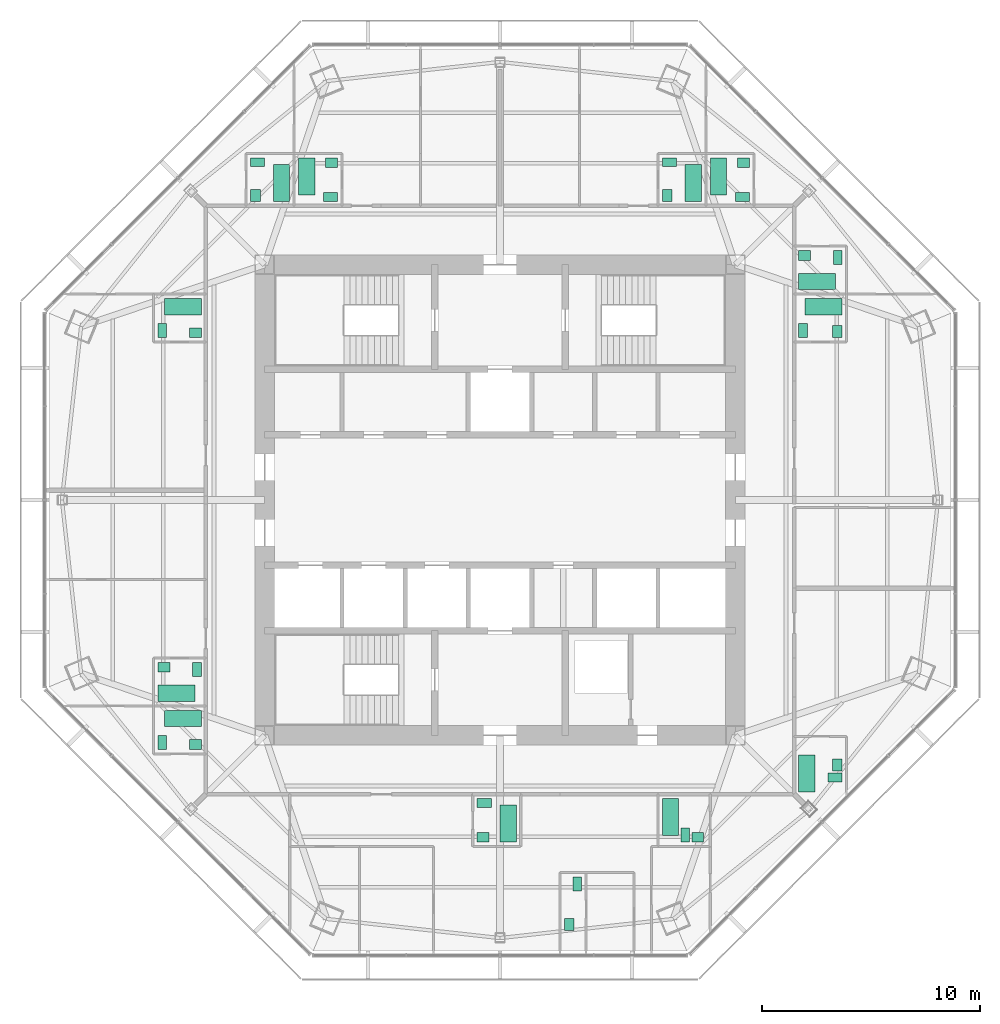
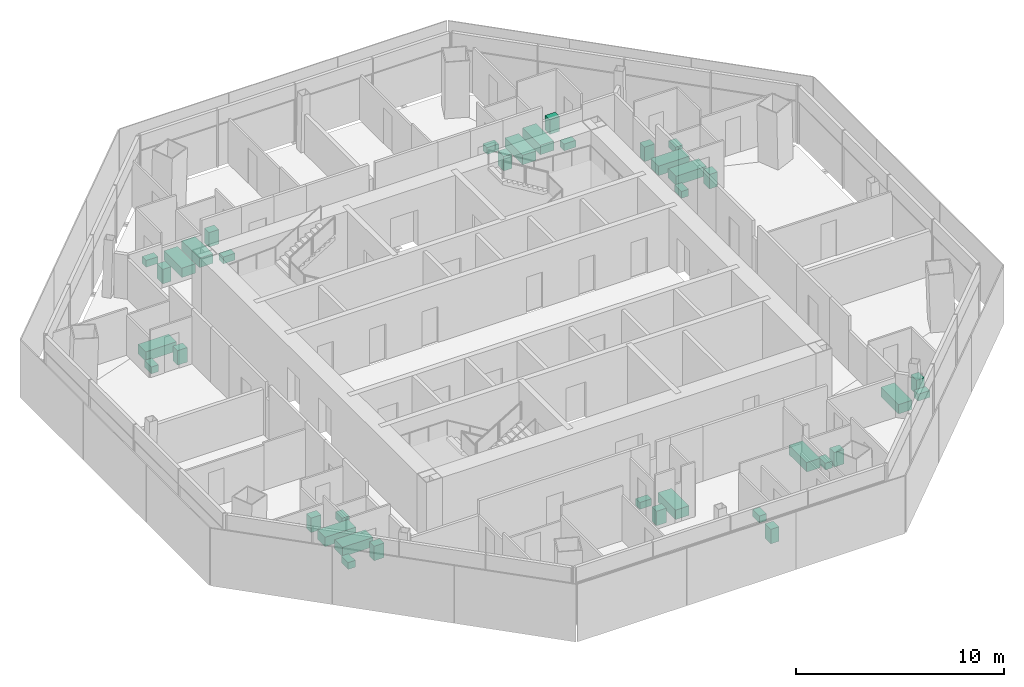
# One storey, part 14 of 14: 38 sanitary terminals.
"""IFC4 building model written with IfcOpenShell, lengths in metres."""

from ifc_helpers import new_model, si_unit, direction, frame, origin, origin_2d, place, context, subcontext, project, spatial, rectangle, extrude, material, type_object, element, save


model = new_model("IFC4")

# Units and contexts
model_context = context("Model", 3, precision=1e-05, world=origin(), true_north=direction((0.0, 1.0)))
body_context = subcontext(model_context, "Body", "Model", "MODEL_VIEW")
ifc_project = project(units=[si_unit("LENGTHUNIT", "METRE"), si_unit("AREAUNIT", "SQUARE_METRE"), si_unit("VOLUMEUNIT", "CUBIC_METRE"), si_unit("PLANEANGLEUNIT", "RADIAN"), si_unit("MASSUNIT", "GRAM", prefix="KILO")], contexts=[model_context])

# Site, building, storey
site_placement = place(None, origin())
site = spatial("IfcSite", under=ifc_project, at=site_placement, CompositionType="ELEMENT")
building_placement = place(site_placement, origin())
building = spatial("IfcBuilding", under=site, at=building_placement, Name="Mashrafa Tower", CompositionType="ELEMENT")
storey_placement = place(building_placement, frame((0.0, 0.0, 251.60009765625)))
storey = spatial("IfcBuildingStorey", under=building, at=storey_placement, Name="L60", CompositionType="ELEMENT", Elevation=251.60009765625)

# Sanitary terminals
ifc_material_1 = material(Name="Enamelled steel", Category="steel")
sanitary_terminal_type_1 = type_object("IfcSanitaryTerminalType", Name="Bath 1700 x 750", PredefinedType="BATH", material=ifc_material_1)
for number, where, z_axis, x_axis, name in (
    (1, (14.074951171875, -12.550048828125, 0.0), (0.0, 0.0, 1.0), (0.0, -1.0, 0.0), "Bath Apartment 6001 Bathroom"),
    (2, (14.550048828125, 10.02490234375, 0.0), (0.0, 0.0, 1.0), (1.0, 0.0, 0.0), "Bath Apartment 6002 En-suite Bathroom"),
    (3, (14.85009765625, 8.875, 0.0), (0.0, 0.0, 1.0), (-1.0, 0.0, 0.0), "Bath Apartment 6002 Bathroom"),
    (4, (10.02490234375, 14.85009765625, 0.0), (0.0, 0.0, 1.0), (0.0, -1.0, 0.0), "Bath Apartment 6003 En-suite Bathroom"),
    (5, (8.875, 14.550048828125, 0.0), (0.0, 0.0, 1.0), (0.0, 1.0, 0.0), "Bath Apartment 6003 Bathroom"),
    (6, (-10.02490234375, 14.550048828125, 0.0), (0.0, 0.0, 1.0), (0.0, 1.0, 0.0), "Bath Apartment 6004 En-suite Bathroom"),
    (7, (-8.875, 14.85009765625, 0.0), (0.0, 0.0, 1.0), (0.0, -1.0, 0.0), "Bath Apartment 6004 Bathroom"),
    (8, (-14.550048828125, 8.875, 0.0), (0.0, 0.0, 1.0), (-1.0, 0.0, 0.0), "Bath Apartment 6005 Bathroom"),
    (9, (-14.550048828125, -10.02490234375, 0.0), (0.0, 0.0, 1.0), (-1.0, 0.0, 0.0), "Bath Apartment 6006 En-suite Bathroom"),
    (10, (-14.85009765625, -8.875, 0.0), (0.0, 0.0, 1.0), (1.0, 0.0, 0.0), "Bath Apartment 6006 Bathroom"),
    (11, (0.375, -14.85009765625, 0.0), (0.0, 0.0, 1.0), (0.0, 1.0, 0.0), "Bath Apartment 6007 Bathroom"),
    (12, (7.824951171875, -14.550048828125, 0.0), (0.0, 0.0, 1.0), (0.0, -1.0, 0.0), "Bath Apartment 6007 En-suite Bathroom"),
):
    element("IfcSanitaryTerminal", number, at=place(storey_placement, frame(where, z_axis=z_axis, x_axis=x_axis)), inside=storey, type_object=sanitary_terminal_type_1, Name=name, PredefinedType="BATH", context=body_context, shape_type="SweptSolid", body=[
        extrude(rectangle(XDim=1.699951171875, YDim=0.75, at=origin_2d()), origin(), (0.0, 0.0, 1.0), 0.550048828125),
    ])
ifc_material_2 = material(Name="Vitreous china")
sanitary_terminal_type_2 = type_object("IfcSanitaryTerminalType", Name="Toilet pan 400 x 650", PredefinedType="TOILETPAN", material=ifc_material_2)
for number, where, z_axis, x_axis, name in (
    (13, (15.375, -12.73388671875, 0.0), (0.0, 0.0, 1.0), (0.0, 1.0, 0.0), "Toilet pan Apartment 6001 Bathroom"),
    (14, (15.5, 11.125, 0.0), (0.0, 0.0, 1.0), (-1.0, 0.0, 0.0), "Toilet pan Apartment 6002 En-suite Bathroom"),
    (15, (13.89990234375, 7.77490234375, 0.0), (0.0, 0.0, 1.0), (1.0, 0.0, 0.0), "Toilet pan Apartment 6002 Bathroom"),
    (16, (11.125, 13.89990234375, 0.0), (0.0, 0.0, 1.0), (0.0, 1.0, 0.0), "Toilet pan Apartment 6003 En-suite Bathroom"),
    (17, (7.77490234375, 15.5, 0.0), (0.0, 0.0, 1.0), (0.0, -1.0, 0.0), "Toilet pan Apartment 6003 Bathroom"),
    (18, (-11.125, 15.5, 0.0), (0.0, 0.0, 1.0), (0.0, -1.0, 0.0), "Toilet pan Apartment 6004 En-suite Bathroom"),
    (19, (-7.77490234375, 13.89990234375, 0.0), (0.0, 0.0, 1.0), (0.0, 1.0, 0.0), "Toilet pan Apartment 6004 Bathroom"),
    (20, (-15.5, 7.77490234375, 0.0), (0.0, 0.0, 1.0), (1.0, 0.0, 0.0), "Toilet pan Apartment 6005 Bathroom"),
    (21, (-15.5, -11.125, 0.0), (0.0, 0.0, 1.0), (1.0, 0.0, 0.0), "Toilet pan Apartment 6006 En-suite Bathroom"),
    (22, (-13.89990234375, -7.77490234375, 0.0), (0.0, 0.0, 1.0), (-1.0, 0.0, 0.0), "Toilet pan Apartment 6006 Bathroom"),
    (23, (-0.72509765625, -13.89990234375, 0.0), (0.0, 0.0, 1.0), (0.0, -1.0, 0.0), "Toilet pan Apartment 6007 Bathroom"),
    (24, (3.550048828125, -17.625, 0.0), (0.0, 0.0, 1.0), (-1.0, 0.0, 0.0), "Toilet pan Apartment 6007 Maid's WC"),
    (25, (8.5, -15.375, 0.0), (0.0, 0.0, 1.0), (1.0, 0.0, 0.0), "Toilet pan Apartment 6007 En-suite Bathroom"),
):
    element("IfcSanitaryTerminal", number, at=place(storey_placement, frame(where, z_axis=z_axis, x_axis=x_axis)), inside=storey, type_object=sanitary_terminal_type_2, Name=name, PredefinedType="TOILETPAN", context=body_context, shape_type="SweptSolid", body=[
        extrude(rectangle(XDim=0.39990234375, YDim=0.64990234375, at=origin_2d()), origin(), (0.0, 0.0, 1.0), 0.39990234375),
    ])
ifc_material_3 = material(Name="Vitreous china")
sanitary_terminal_type_3 = type_object("IfcSanitaryTerminalType", Name="Wash basin 550 x 450", PredefinedType="WASHHANDBASIN", material=ifc_material_3)
for number, where, z_axis, x_axis, name in (
    (26, (15.47509765625, -12.158935546875, -0.000244140625), (0.0, 0.0, 1.0), (0.0, 1.0, 0.0), "Wash basin Apartment 6001 Bathroom"),
    (27, (13.97509765625, 11.22509765625, -0.000244140625), (0.0, 0.0, 1.0), (-1.0, 0.0, 0.0), "Wash basin Apartment 6002 En-suite Bathroom"),
    (28, (15.47509765625, 7.72509765625, -0.000244140625), (0.0, 0.0, 1.0), (0.0, 1.0, 0.0), "Wash basin Apartment 6002 Bathroom"),
    (29, (11.175048828125, 15.47509765625, -0.000244140625), (0.0, 0.0, 1.0), (-1.0, 0.0, 0.0), "Wash basin Apartment 6003 En-suite Bathroom"),
    (30, (7.675048828125, 13.97509765625, -0.000244140625), (0.0, 0.0, 1.0), (0.0, -1.0, 0.0), "Wash basin Apartment 6003 Bathroom"),
    (31, (-11.22509765625, 13.97509765625, -0.000244140625), (0.0, 0.0, 1.0), (0.0, -1.0, 0.0), "Wash basin Apartment 6004 En-suite Bathroom"),
    (32, (-7.72509765625, 15.47509765625, -0.000244140625), (0.0, 0.0, 1.0), (-1.0, 0.0, 0.0), "Wash basin Apartment 6004 Bathroom"),
    (33, (-13.97509765625, 7.675048828125, -0.000244140625), (0.0, 0.0, 1.0), (1.0, 0.0, 0.0), "Wash basin Apartment 6005 Bathroom"),
    (34, (-13.97509765625, -11.22509765625, -0.000244140625), (0.0, 0.0, 1.0), (1.0, 0.0, 0.0), "Wash basin Apartment 6006 En-suite Bathroom"),
    (35, (-15.425048828125, -7.675048828125, -0.000244140625), (0.0, 0.0, 1.0), (-1.0, 0.0, 0.0), "Wash basin Apartment 6006 Bathroom"),
    (36, (-0.77490234375, -15.47509765625, -0.000244140625), (0.0, 0.0, 1.0), (1.0, 0.0, 0.0), "Wash basin Apartment 6007 Bathroom"),
    (37, (3.175048828125, -19.47509765625, -0.000244140625), (0.0, 0.0, 1.0), (0.0, -1.0, 0.0), "Wash basin Apartment 6007 Maid's WC"),
    (38, (9.074951171875, -15.47509765625, -0.000244140625), (0.0, 0.0, 1.0), (1.0, 0.0, 0.0), "Wash basin Apartment 6007 En-suite Bathroom"),
):
    element("IfcSanitaryTerminal", number, at=place(storey_placement, frame(where, z_axis=z_axis, x_axis=x_axis)), inside=storey, type_object=sanitary_terminal_type_3, Name=name, PredefinedType="WASHHANDBASIN", context=body_context, shape_type="SweptSolid", body=[
        extrude(rectangle(XDim=0.550048828125, YDim=0.449951171875, at=origin_2d()), origin(), (0.0, 0.0, 1.0), 0.85009765625),
    ])

save(model, "model.ifc")
